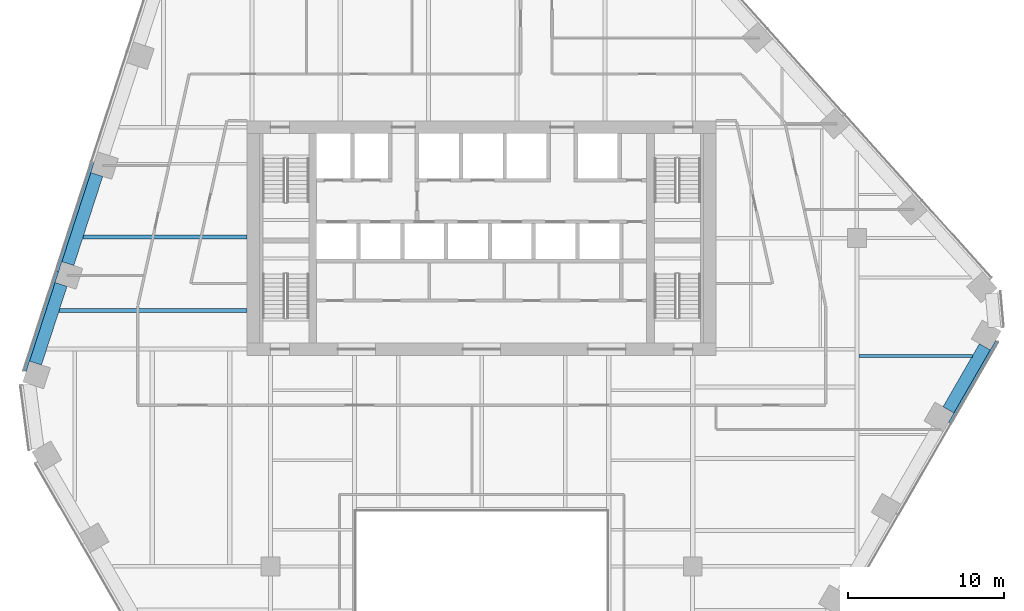
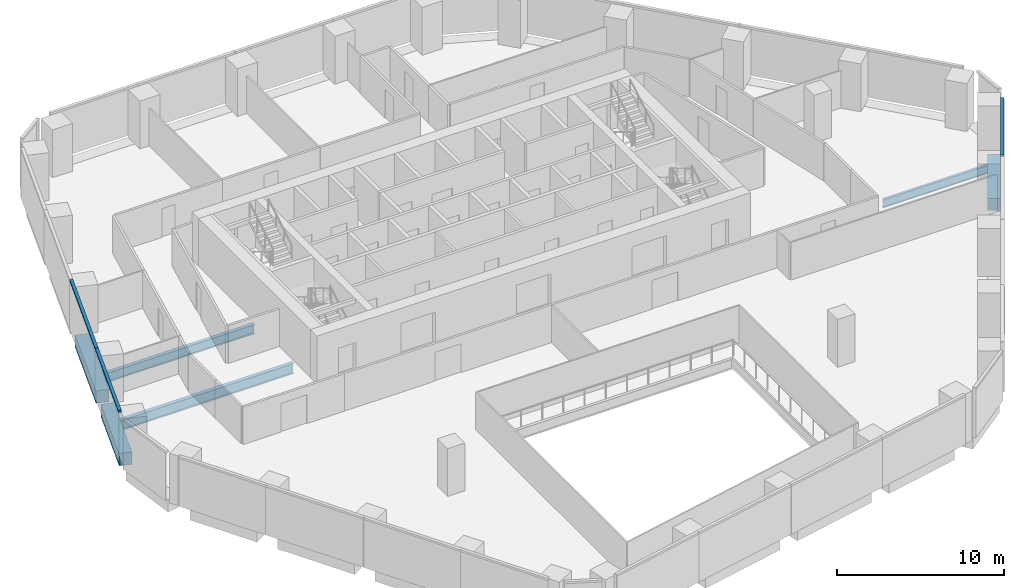
# One storey, part 6 of 16: 6 beams, 3 members, 2 elements without a shape of their own.
"""IFC4 building model written with IfcOpenShell, lengths in metres."""

from ifc_helpers import new_model, si_unit, direction, frame, origin, origin_2d, place, context, subcontext, project, spatial, rectangle, i_section, extrude, material, layer, layer_set, material_profile, profile_set, type_object, element, aggregate, save


model = new_model("IFC4")

# Units and contexts
model_context = context("Model", 3, precision=1e-05, world=origin(), true_north=direction((0.0, 1.0)))
body_context = subcontext(model_context, "Body", "Model", "MODEL_VIEW")
ifc_project = project(units=[si_unit("LENGTHUNIT", "METRE"), si_unit("AREAUNIT", "SQUARE_METRE"), si_unit("VOLUMEUNIT", "CUBIC_METRE"), si_unit("PLANEANGLEUNIT", "RADIAN"), si_unit("MASSUNIT", "GRAM", prefix="KILO")], contexts=[model_context])

# Site, building, storey
site_placement = place(None, origin())
site = spatial("IfcSite", under=ifc_project, at=site_placement, CompositionType="ELEMENT")
building_placement = place(site_placement, origin())
building = spatial("IfcBuilding", under=site, at=building_placement, Name="Isthmus Gate Tower", CompositionType="ELEMENT")
storey_placement = place(building_placement, frame((0.0, 0.0, 137.10009765625)))
storey = spatial("IfcBuildingStorey", under=building, at=storey_placement, Name="L33", CompositionType="ELEMENT", Elevation=137.10009765625)

# Curtain wall, members
ifc_material_1 = material(Name="Aluminium, pale champagne anodised", Category="aluminium")
ifc_layer = layer(ifc_material_1, 0.199951171875)
ifc_layer_set = layer_set([ifc_layer], Name="CW-1 UNITISED CURTAIN WALL 200 DEEP")
curtain_wall_type = type_object("IfcCurtainWallType", Name="CW-1 UNITISED CURTAIN WALL 200 DEEP", PredefinedType="NOTDEFINED", material=ifc_layer_set)
curtain_wall_1_placement = place(storey_placement, origin())
curtain_wall_1 = element("IfcCurtainWall", 1, at=curtain_wall_1_placement, inside=storey, type_object=curtain_wall_type, Name="CW-1 NW L33", PredefinedType="NOTDEFINED")
ifc_material_2 = material(Name="Aluminium, pale champagne anodised", Category="aluminium")
ifc_material_profile_1 = material_profile(ifc_material_2, rectangle(XDim=0.199951171875, YDim=0.139892578125, at=origin_2d()), Name="200x140")
ifc_profile_set_1 = profile_set([ifc_material_profile_1], Name="Aluminium, pale champagne anodised")
member_type = type_object("IfcMemberType", Name="CW-1 TRANSOM 200 X 140", PredefinedType="USERDEFINED", material=ifc_profile_set_1)
member_1_placement = place(storey_placement, frame((-24.896240234375, 12.33056640625, 3.579833984375), z_axis=(-0.309025074527, -0.951053890857, 0.0), x_axis=(0.951053890857, -0.309025074527, 0.0)))
member_1 = element("IfcMember", 2, at=member_1_placement, type_object=member_type, Name="CW-1 transom", ObjectType="TRANSOM", PredefinedType="USERDEFINED", context=body_context, shape_type="SweptSolid", body=[
    extrude(rectangle(XDim=0.199951171875, YDim=0.139892578125, at=origin_2d()), origin(), (0.0, 0.0, 1.0), 7.330810546875),
])
member_2_placement = place(storey_placement, frame((-27.16162109375, 5.358642578125, 3.579833984375), z_axis=(-0.309026665985, -0.951053373744, 0.0), x_axis=(0.951053373744, -0.309026665985, 0.0)))
member_2 = element("IfcMember", 3, at=member_2_placement, type_object=member_type, Name="CW-1 transom", ObjectType="TRANSOM", PredefinedType="USERDEFINED", context=body_context, shape_type="SweptSolid", body=[
    extrude(rectangle(XDim=0.199951171875, YDim=0.139892578125, at=origin_2d()), origin(), (0.0, 0.0, 1.0), 6.690673828125),
])
aggregate(curtain_wall_1, [member_1, member_2])

# Curtain wall, member
curtain_wall_2_placement = place(storey_placement, origin())
curtain_wall_2 = element("IfcCurtainWall", 4, at=curtain_wall_2_placement, inside=storey, type_object=curtain_wall_type, Name="CW-1 SE L33", PredefinedType="NOTDEFINED")
member_3_placement = place(storey_placement, frame((29.941162109375, -4.34033203125, 3.579833984375), z_axis=(0.499997231551, 0.866027002143, 0.0), x_axis=(-0.866027002143, 0.499997231551, 0.0)))
member_3 = element("IfcMember", 5, at=member_3_placement, type_object=member_type, Name="CW-1 transom", ObjectType="TRANSOM", PredefinedType="USERDEFINED", context=body_context, shape_type="SweptSolid", body=[
    extrude(rectangle(XDim=0.199951171875, YDim=0.139892578125, at=origin_2d()), origin(), (0.0, 0.0, 1.0), 6.05029296875),
])
aggregate(curtain_wall_2, [member_3])

# Beams
ifc_material_3 = material(Name="Concrete f'c 60 MPa", Category="concrete")
ifc_material_profile_2 = material_profile(ifc_material_3, rectangle(XDim=0.800048828125, YDim=0.89990234375, at=origin_2d()), Name="RC 800X900")
ifc_profile_set_2 = profile_set([ifc_material_profile_2], Name="Concrete f'c 60 MPa")
beam_type_1 = type_object("IfcBeamType", Name="RC SPANDREL 800 X 900", PredefinedType="SPANDREL", material=ifc_profile_set_2)
beam_1_placement = place(storey_placement, frame((32.183349609375, 0.54296875, -0.4501953125), z_axis=(-0.500023913295, -0.866011596997, 0.0), x_axis=(0.866011596997, -0.500023913295, 0.0)))
element("IfcBeam", 6, at=beam_1_placement, inside=storey, type_object=beam_type_1, Name="str-spandrel-L33-06", PredefinedType="SPANDREL", context=body_context, shape_type="SweptSolid", body=[
    extrude(rectangle(XDim=0.800048828125, YDim=0.89990234375, at=origin_2d()), origin(), (0.0, 0.0, 1.0), 4.650146484375),
])
beam_2_placement = place(storey_placement, frame((-28.537353515625, -0.493408203125, -0.4501953125), z_axis=(0.309033901013, 0.951051022829, 0.0), x_axis=(-0.951051022829, 0.309033901013, 0.0)))
element("IfcBeam", 7, at=beam_2_placement, inside=storey, type_object=beam_type_1, Name="str-spandrel-L33-21", PredefinedType="SPANDREL", context=body_context, shape_type="SweptSolid", body=[
    extrude(rectangle(XDim=0.800048828125, YDim=0.89990234375, at=origin_2d()), origin(), (0.0, 0.0, 1.0), 5.290771484375),
])
beam_3_placement = place(storey_placement, frame((-26.4697265625, 5.869873046875, -0.4501953125), z_axis=(0.309029860788, 0.951052335648, 0.0), x_axis=(-0.951052335648, 0.309029860788, 0.0)))
element("IfcBeam", 8, at=beam_3_placement, inside=storey, type_object=beam_type_1, Name="str-spandrel-L33-22", PredefinedType="SPANDREL", context=body_context, shape_type="SweptSolid", body=[
    extrude(rectangle(XDim=0.800048828125, YDim=0.89990234375, at=origin_2d()), origin(), (0.0, 0.0, 1.0), 5.99072265625),
])
ifc_material_4 = material(Name="Structural steel ASTM A992 Gr 50", Category="steel")
ifc_material_profile_3 = material_profile(ifc_material_4, i_section(OverallWidth=0.177734375, OverallDepth=0.60009765625, WebThickness=0.009521484375, FlangeThickness=0.0126953125, at=origin_2d()), Name="W24X55")
ifc_profile_set_3 = profile_set([ifc_material_profile_3], Name="Structural steel ASTM A992 Gr 50")
beam_type_2 = type_object("IfcBeamType", Name="STEEL FLOOR BEAM W24X55", PredefinedType="JOIST", material=ifc_profile_set_3)
beam_4_placement = place(storey_placement, frame((24.13330078125, -0.037353515625, -0.4501953125), z_axis=(1.0, 0.0, 0.0), x_axis=(0.0, 1.0, 0.0)))
element("IfcBeam", 9, at=beam_4_placement, inside=storey, type_object=beam_type_2, Name="str-beam-L33-16-01", PredefinedType="JOIST", context=body_context, shape_type="SweptSolid", body=[
    extrude(i_section(OverallWidth=0.177734375, OverallDepth=0.60009765625, WebThickness=0.009521484375, FlangeThickness=0.0126953125, at=origin_2d()), origin(), (0.0, 0.0, 1.0), 7.2529296875),
])
ifc_material_5 = material(Name="Structural steel ASTM A992 Gr 50", Category="steel")
ifc_material_profile_4 = material_profile(ifc_material_5, i_section(OverallWidth=0.25390625, OverallDepth=0.679443359375, WebThickness=0.010986328125, FlangeThickness=0.015869140625, at=origin_2d()), Name="W27X84")
ifc_profile_set_4 = profile_set([ifc_material_profile_4], Name="Structural steel ASTM A992 Gr 50")
beam_type_3 = type_object("IfcBeamType", Name="STEEL FLOOR BEAM W27X84", PredefinedType="JOIST", material=ifc_profile_set_4)
beam_5_placement = place(storey_placement, frame((-25.498046875, 7.56591796875, -0.48974609375), z_axis=(1.0, 0.0, 0.0), x_axis=(0.0, 1.0, 0.0)))
element("IfcBeam", 10, at=beam_5_placement, inside=storey, type_object=beam_type_3, Name="str-beam-L33-01-01", PredefinedType="JOIST", context=body_context, shape_type="SweptSolid", body=[
    extrude(i_section(OverallWidth=0.25390625, OverallDepth=0.679443359375, WebThickness=0.010986328125, FlangeThickness=0.015869140625, at=origin_2d()), origin(), (0.0, 0.0, 1.0), 10.498046875),
])
ifc_material_6 = material(Name="Structural steel ASTM A992 Gr 50", Category="steel")
ifc_material_profile_5 = material_profile(ifc_material_6, i_section(OverallWidth=0.263427734375, OverallDepth=0.749267578125, WebThickness=0.0126953125, FlangeThickness=0.015869140625, at=origin_2d()), Name="W30X90")
ifc_profile_set_5 = profile_set([ifc_material_profile_5], Name="Structural steel ASTM A992 Gr 50")
beam_type_4 = type_object("IfcBeamType", Name="STEEL FLOOR BEAM W30X90", PredefinedType="JOIST", material=ifc_profile_set_5)
beam_6_placement = place(storey_placement, frame((-27.021728515625, 2.87646484375, -0.524658203125), z_axis=(1.0, 0.0, 0.0), x_axis=(0.0, 1.0, 0.0)))
element("IfcBeam", 11, at=beam_6_placement, inside=storey, type_object=beam_type_4, Name="str-beam-L33-01-00", PredefinedType="JOIST", context=body_context, shape_type="SweptSolid", body=[
    extrude(i_section(OverallWidth=0.263427734375, OverallDepth=0.749267578125, WebThickness=0.0126953125, FlangeThickness=0.015869140625, at=origin_2d()), origin(), (0.0, 0.0, 1.0), 12.021728515625),
])

save(model, "model.ifc")
